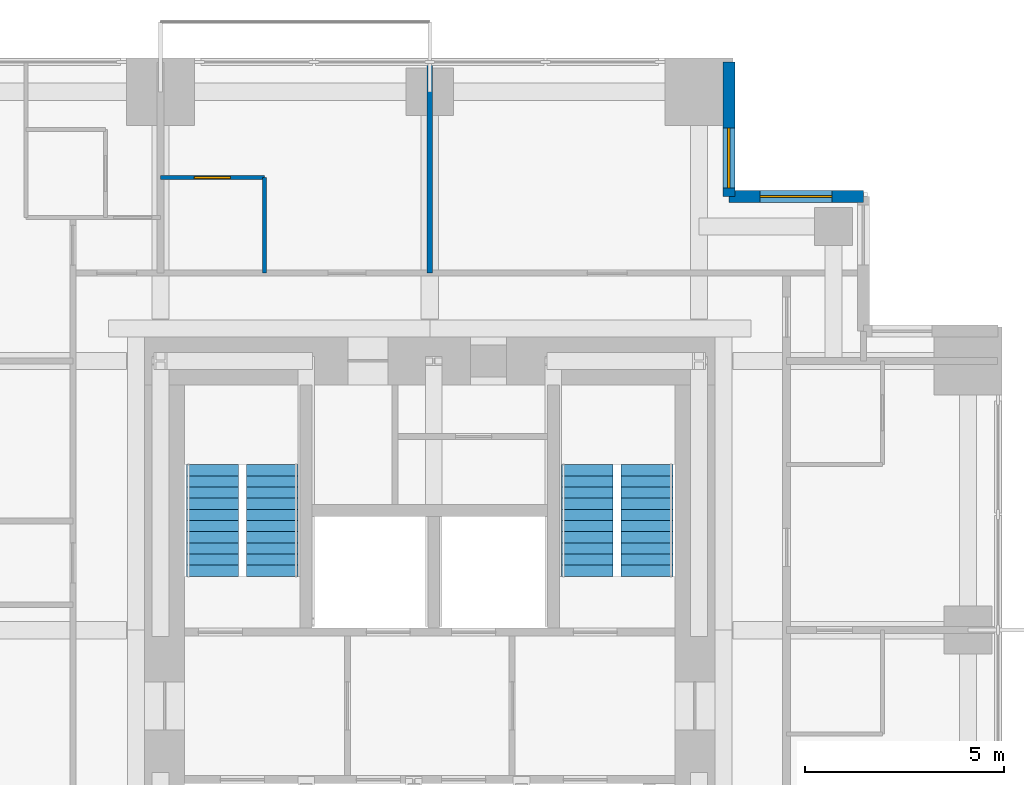
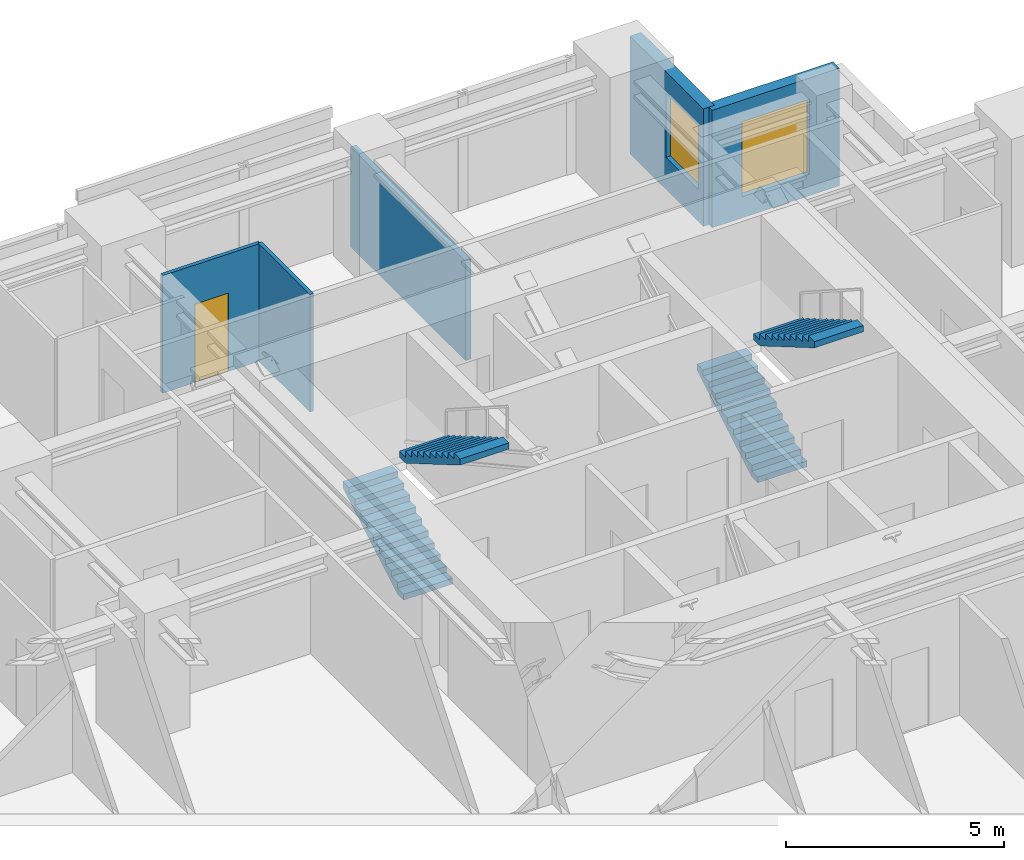
# One storey, part 9 of 10: 5 walls, 4 stair flights, 2 windows, 1 door, 3 openings, 2 elements without a shape of their own.
"""IFC4 building model written with IfcOpenShell, lengths in metres."""

from ifc_helpers import new_model, si_unit, direction, frame, frame_2d, origin, place, context, subcontext, project, spatial, polyline, rectangle, outline, extrude, material, layer, layer_set, type_object, element, fill, aggregate, save


model = new_model("IFC4")

# Units and contexts
model_context = context("Model", 3, precision=1e-05, world=origin(), true_north=direction((0.0, 1.0)))
body_context = subcontext(model_context, "Body", "Model", "MODEL_VIEW")
ifc_project = project(units=[si_unit("LENGTHUNIT", "METRE"), si_unit("AREAUNIT", "SQUARE_METRE"), si_unit("VOLUMEUNIT", "CUBIC_METRE"), si_unit("PLANEANGLEUNIT", "RADIAN"), si_unit("MASSUNIT", "GRAM", prefix="KILO")], contexts=[model_context])

# Site, building, storey
site_placement = place(None, origin())
site = spatial("IfcSite", under=ifc_project, at=site_placement, CompositionType="ELEMENT")
building_placement = place(site_placement, origin())
building = spatial("IfcBuilding", under=site, at=building_placement, Name="Nyansa Garden Tower", CompositionType="ELEMENT")
storey_placement = place(building_placement, frame((0.0, 0.0, 196.199951171875)))
storey = spatial("IfcBuildingStorey", under=building, at=storey_placement, Name="L53", CompositionType="ELEMENT", Elevation=196.199951171875)

# Wall
ifc_material_1 = material(Name="Blockwork, plastered both sides", Category="masonry")
ifc_layer_1 = layer(ifc_material_1, 0.14990234375)
ifc_layer_set_1 = layer_set([ifc_layer_1], Name="Partition PW150")
wall_type_1 = type_object("IfcWallType", Name="Partition PW150", PredefinedType="PARTITIONING", material=ifc_layer_set_1)
wall_1_placement = place(storey_placement, frame((20.25, 29.199951171875, 0.0), z_axis=(0.0, 0.0, 1.0), x_axis=(0.0, 1.0, 0.0)))
element("IfcWall", 1, at=wall_1_placement, inside=storey, type_object=wall_type_1, Name="Partition", PredefinedType="PARTITIONING", context=body_context, shape_type="SweptSolid", body=[
    extrude(rectangle(XDim=5.283935546875, YDim=0.14990234375, at=frame_2d((2.64208984375, 0.0))), origin(), (0.0, 0.0, 1.0), 2.802001953125),
])

# Wall, opening, window
ifc_material_2 = material(Name="Turquoise glazed tile on concrete blockwork", Category="masonry")
ifc_layer_2 = layer(ifc_material_2, 0.300048828125)
ifc_layer_set_2 = layer_set([ifc_layer_2], Name="Tiled corner wall TW300")
wall_type_2 = type_object("IfcWallType", Name="Tiled corner wall TW300", PredefinedType="SOLIDWALL", material=ifc_layer_set_2)
wall_2_placement = place(storey_placement, frame((31.125, 31.125, 0.0), z_axis=(0.0, 0.0, 1.0), x_axis=(-1.0, 0.0, 0.0)))
wall_2 = element("IfcWall", 2, at=wall_2_placement, inside=storey, type_object=wall_type_2, Name="Tiled corner wall L53", PredefinedType="SOLIDWALL", context=body_context, shape_type="SweptSolid", body=[
    extrude(rectangle(XDim=3.375, YDim=0.300048828125, at=frame_2d((1.6875, 0.0))), origin(), (0.0, 0.0, 1.0), 3.300048828125),
])
opening_1_placement = place(wall_2_placement, frame((0.78759765625, 0.0, 0.60009765625)))
opening_1 = element("IfcOpeningElement", 3, at=opening_1_placement, cuts=wall_2, Name="Opening W2", PredefinedType="OPENING", context=body_context, shape_type="SweptSolid", body=[
    extrude(rectangle(XDim=1.800048828125, YDim=2.10009765625, at=frame_2d((0.89990234375, 1.050048828125))), frame((0.0, 0.159912109375, 0.0), z_axis=(0.0, -1.0, 0.0), x_axis=(1.0, 0.0, 0.0)), (0.0, 0.0, 1.0), 0.320068359375),
])
ifc_material_3 = material(Name="Black aluminium frame, dark tinted double glazing", Category="aluminium")
window_type_1 = type_object("IfcWindowType", Name="Window W2 1800x2100", PartitioningType="SINGLE_PANEL", PredefinedType="WINDOW", material=ifc_material_3)
window_1_placement = place(opening_1_placement, origin())
window_1 = element("IfcWindow", 4, at=window_1_placement, inside=storey, type_object=window_type_1, Name="Corner window L53", OverallHeight=2.10009765625, OverallWidth=1.800048828125, PartitioningType="SINGLE_PANEL", PredefinedType="WINDOW", context=body_context, shape_type="SweptSolid", body=[
    extrude(rectangle(XDim=1.800048828125, YDim=2.10009765625, at=frame_2d((0.89990234375, 1.050048828125))), frame((0.0, 0.030029296875, 0.0), z_axis=(0.0, -1.0, 0.0), x_axis=(1.0, 0.0, 0.0)), (0.0, 0.0, 1.0), 0.06005859375),
])
fill(opening_1, window_1)

wall_3_placement = place(storey_placement, frame((27.75, 31.125, 0.0), z_axis=(0.0, 0.0, 1.0), x_axis=(0.0, 1.0, 0.0)))
wall_3 = element("IfcWall", 5, at=wall_3_placement, inside=storey, type_object=wall_type_2, Name="Tiled corner wall L53", PredefinedType="SOLIDWALL", context=body_context, shape_type="SweptSolid", body=[
    extrude(rectangle(XDim=3.375, YDim=0.300048828125, at=frame_2d((1.6875, 0.0))), origin(), (0.0, 0.0, 1.0), 3.300048828125),
])
opening_2_placement = place(wall_3_placement, frame((0.217529296875, 0.0, 0.89990234375)))
opening_2 = element("IfcOpeningElement", 6, at=opening_2_placement, cuts=wall_3, Name="Opening W1", PredefinedType="OPENING", context=body_context, shape_type="SweptSolid", body=[
    extrude(rectangle(XDim=1.5, YDim=1.800048828125, at=frame_2d((0.75, 0.89990234375))), frame((0.0, 0.159912109375, 0.0), z_axis=(0.0, -1.0, 0.0), x_axis=(1.0, 0.0, 0.0)), (0.0, 0.0, 1.0), 0.320068359375),
])
ifc_material_4 = material(Name="Black aluminium frame, dark tinted double glazing", Category="aluminium")
window_type_2 = type_object("IfcWindowType", Name="Window W1 1500x1800", PartitioningType="SINGLE_PANEL", PredefinedType="WINDOW", material=ifc_material_4)
window_2_placement = place(opening_2_placement, origin())
window_2 = element("IfcWindow", 7, at=window_2_placement, inside=storey, type_object=window_type_2, Name="Corner window L53", OverallHeight=1.800048828125, OverallWidth=1.5, PartitioningType="SINGLE_PANEL", PredefinedType="WINDOW", context=body_context, shape_type="SweptSolid", body=[
    extrude(rectangle(XDim=1.5, YDim=1.800048828125, at=frame_2d((0.75, 0.89990234375))), frame((0.0, 0.030029296875, 0.0), z_axis=(0.0, -1.0, 0.0), x_axis=(1.0, 0.0, 0.0)), (0.0, 0.0, 1.0), 0.06005859375),
])
fill(opening_2, window_2)

# Wall, opening, door
ifc_material_5 = material(Name="Moisture resistant board on steel studs, tiled", Category="steel")
ifc_layer_3 = layer(ifc_material_5, 0.10009765625)
ifc_layer_set_3 = layer_set([ifc_layer_3], Name="Wet wall PW100")
wall_type_3 = type_object("IfcWallType", Name="Wet wall PW100", PredefinedType="PARTITIONING", material=ifc_layer_set_3)
wall_4_placement = place(storey_placement, frame((13.5, 31.60009765625, 0.0), z_axis=(0.0, 0.0, 1.0), x_axis=(1.0, 0.0, 0.0)))
wall_4 = element("IfcWall", 8, at=wall_4_placement, inside=storey, type_object=wall_type_3, Name="Wet wall", PredefinedType="PARTITIONING", context=body_context, shape_type="SweptSolid", body=[
    extrude(rectangle(XDim=2.60009765625, YDim=0.10009765625, at=frame_2d((1.300048828125, 0.0))), origin(), (0.0, 0.0, 1.0), 3.300048828125),
])
opening_3_placement = place(wall_4_placement, frame((0.85009765625, 0.0, 0.0)))
opening_3 = element("IfcOpeningElement", 9, at=opening_3_placement, cuts=wall_4, Name="Opening D02", PredefinedType="OPENING", context=body_context, shape_type="SweptSolid", body=[
    extrude(rectangle(XDim=0.89990234375, YDim=2.199951171875, at=frame_2d((0.449951171875, 1.10009765625))), frame((0.0, 0.06005859375, 0.0), z_axis=(0.0, -1.0, 0.0), x_axis=(1.0, 0.0, 0.0)), (0.0, 0.0, 1.0), 0.1201171875),
])
ifc_material_6 = material(Name="Timber flush door", Category="wood")
door_type = type_object("IfcDoorType", Name="En-suite door D02 900x2200", OperationType="SINGLE_SWING_RIGHT", PredefinedType="DOOR", material=ifc_material_6)
door_placement = place(opening_3_placement, origin())
door = element("IfcDoor", 10, at=door_placement, inside=storey, type_object=door_type, Name="Door L53-041", OperationType="SINGLE_SWING_RIGHT", OverallHeight=2.199951171875, OverallWidth=0.89990234375, PredefinedType="DOOR", context=body_context, shape_type="SweptSolid", body=[
    extrude(rectangle(XDim=0.89990234375, YDim=2.199951171875, at=frame_2d((0.449951171875, 1.10009765625))), frame((0.0, 0.02490234375, 0.0), z_axis=(0.0, -1.0, 0.0), x_axis=(1.0, 0.0, 0.0)), (0.0, 0.0, 1.0), 0.050048828125),
])
fill(opening_3, door)

# Wall
wall_5_placement = place(storey_placement, frame((16.10009765625, 29.199951171875, 0.0), z_axis=(0.0, 0.0, 1.0), x_axis=(0.0, 1.0, 0.0)))
element("IfcWall", 11, at=wall_5_placement, inside=storey, type_object=wall_type_3, Name="Wet wall", PredefinedType="PARTITIONING", context=body_context, shape_type="SweptSolid", body=[
    extrude(rectangle(XDim=2.400146484375, YDim=0.10009765625, at=frame_2d((1.2001953125, 0.0))), origin(), (0.0, 0.0, 1.0), 3.300048828125),
])

# Stair, stair flights
ifc_material_7 = material(Name="Precast concrete C40/50", Category="concrete")
stair_type_1 = type_object("IfcStairType", Name="Stair S1 164x280", PredefinedType="HALF_TURN_STAIR", material=ifc_material_7)
stair_1_placement = place(storey_placement, origin())
stair_1 = element("IfcStair", 12, at=stair_1_placement, inside=storey, type_object=stair_type_1, Name="Stair S1 L53", PredefinedType="HALF_TURN_STAIR")
ifc_material_8 = material(Name="Precast concrete C40/50", Category="concrete")
stair_flight_type_1 = type_object("IfcStairFlightType", Name="Stair flight S1 164x280x11", PredefinedType="STRAIGHT", material=ifc_material_8)
stair_flight_1_placement = place(storey_placement, frame((14.800048828125, 21.60009765625, 0.0), z_axis=(0.0, 0.0, 1.0), x_axis=(0.0, 1.0, 0.0)))
stair_flight_1 = element("IfcStairFlight", 13, at=stair_flight_1_placement, type_object=stair_flight_type_1, Name="S1 flight 1", NumberOfRisers=11, NumberOfTreads=10, PredefinedType="STRAIGHT", RiserHeight=0.163636364, TreadLength=0.28, context=body_context, shape_type="SweptSolid", body=[
    extrude(outline(polyline([(0.0, 0.0), (0.0, 0.16357421875), (0.280029296875, 0.16357421875), (0.280029296875, 0.327392578125), (0.56005859375, 0.327392578125), (0.56005859375, 0.490966796875), (0.840087890625, 0.490966796875), (0.840087890625, 0.654541015625), (1.1201171875, 0.654541015625), (1.1201171875, 0.818115234375), (1.39990234375, 0.818115234375), (1.39990234375, 0.98193359375), (1.679931640625, 0.98193359375), (1.679931640625, 1.1455078125), (1.9599609375, 1.1455078125), (1.9599609375, 1.30908203125), (2.239990234375, 1.30908203125), (2.239990234375, 1.47265625), (2.52001953125, 1.47265625), (2.52001953125, 1.636474609375), (2.800048828125, 1.636474609375), (2.800048828125, 1.800048828125), (2.800048828125, 1.462646484375), (0.297119140625, 0.0), (0.0, 0.0)])), frame((0.0, 0.64990234375, 0.0), z_axis=(0.0, -1.0, 0.0), x_axis=(1.0, 0.0, 0.0)), (0.0, 0.0, 1.0), 1.300048828125),
])
stair_flight_2_placement = place(storey_placement, frame((16.300048828125, 24.39990234375, 1.800048828125), z_axis=(0.0, 0.0, 1.0), x_axis=(0.0, -1.0, 0.0)))
stair_flight_2 = element("IfcStairFlight", 14, at=stair_flight_2_placement, type_object=stair_flight_type_1, Name="S1 flight 2", NumberOfRisers=11, NumberOfTreads=10, PredefinedType="STRAIGHT", RiserHeight=0.163636364, TreadLength=0.28, context=body_context, shape_type="SweptSolid", body=[
    extrude(outline(polyline([(0.0, 0.0), (0.0, 0.16357421875), (0.280029296875, 0.16357421875), (0.280029296875, 0.327392578125), (0.56005859375, 0.327392578125), (0.56005859375, 0.490966796875), (0.840087890625, 0.490966796875), (0.840087890625, 0.654541015625), (1.1201171875, 0.654541015625), (1.1201171875, 0.818115234375), (1.39990234375, 0.818115234375), (1.39990234375, 0.98193359375), (1.679931640625, 0.98193359375), (1.679931640625, 1.1455078125), (1.9599609375, 1.1455078125), (1.9599609375, 1.30908203125), (2.239990234375, 1.30908203125), (2.239990234375, 1.47265625), (2.52001953125, 1.47265625), (2.52001953125, 1.636474609375), (2.800048828125, 1.636474609375), (2.800048828125, 1.800048828125), (2.800048828125, 1.462646484375), (0.297119140625, 0.0), (0.0, 0.0)])), frame((0.0, 0.64990234375, 0.0), z_axis=(0.0, -1.0, 0.0), x_axis=(1.0, 0.0, 0.0)), (0.0, 0.0, 1.0), 1.300048828125),
])
aggregate(stair_1, [stair_flight_1, stair_flight_2])

ifc_material_9 = material(Name="Precast concrete C40/50", Category="concrete")
stair_type_2 = type_object("IfcStairType", Name="Stair S2 164x280", PredefinedType="HALF_TURN_STAIR", material=ifc_material_9)
stair_2_placement = place(storey_placement, origin())
stair_2 = element("IfcStair", 15, at=stair_2_placement, inside=storey, type_object=stair_type_2, Name="Stair S2 L53", PredefinedType="HALF_TURN_STAIR")
ifc_material_10 = material(Name="Precast concrete C40/50", Category="concrete")
stair_flight_type_2 = type_object("IfcStairFlightType", Name="Stair flight S2 164x280x11", PredefinedType="STRAIGHT", material=ifc_material_10)
stair_flight_3_placement = place(storey_placement, frame((24.199951171875, 21.60009765625, 0.0), z_axis=(0.0, 0.0, 1.0), x_axis=(0.0, 1.0, 0.0)))
stair_flight_3 = element("IfcStairFlight", 16, at=stair_flight_3_placement, type_object=stair_flight_type_2, Name="S2 flight 1", NumberOfRisers=11, NumberOfTreads=10, PredefinedType="STRAIGHT", RiserHeight=0.163636364, TreadLength=0.28, context=body_context, shape_type="SweptSolid", body=[
    extrude(outline(polyline([(0.0, 0.0), (0.0, 0.16357421875), (0.280029296875, 0.16357421875), (0.280029296875, 0.327392578125), (0.56005859375, 0.327392578125), (0.56005859375, 0.490966796875), (0.840087890625, 0.490966796875), (0.840087890625, 0.654541015625), (1.1201171875, 0.654541015625), (1.1201171875, 0.818115234375), (1.39990234375, 0.818115234375), (1.39990234375, 0.98193359375), (1.679931640625, 0.98193359375), (1.679931640625, 1.1455078125), (1.9599609375, 1.1455078125), (1.9599609375, 1.30908203125), (2.239990234375, 1.30908203125), (2.239990234375, 1.47265625), (2.52001953125, 1.47265625), (2.52001953125, 1.636474609375), (2.800048828125, 1.636474609375), (2.800048828125, 1.800048828125), (2.800048828125, 1.462646484375), (0.297119140625, 0.0), (0.0, 0.0)])), frame((0.0, 0.64990234375, 0.0), z_axis=(0.0, -1.0, 0.0), x_axis=(1.0, 0.0, 0.0)), (0.0, 0.0, 1.0), 1.300048828125),
])
stair_flight_4_placement = place(storey_placement, frame((25.699951171875, 24.39990234375, 1.800048828125), z_axis=(0.0, 0.0, 1.0), x_axis=(0.0, -1.0, 0.0)))
stair_flight_4 = element("IfcStairFlight", 17, at=stair_flight_4_placement, type_object=stair_flight_type_2, Name="S2 flight 2", NumberOfRisers=11, NumberOfTreads=10, PredefinedType="STRAIGHT", RiserHeight=0.163636364, TreadLength=0.28, context=body_context, shape_type="SweptSolid", body=[
    extrude(outline(polyline([(0.0, 0.0), (0.0, 0.16357421875), (0.280029296875, 0.16357421875), (0.280029296875, 0.327392578125), (0.56005859375, 0.327392578125), (0.56005859375, 0.490966796875), (0.840087890625, 0.490966796875), (0.840087890625, 0.654541015625), (1.1201171875, 0.654541015625), (1.1201171875, 0.818115234375), (1.39990234375, 0.818115234375), (1.39990234375, 0.98193359375), (1.679931640625, 0.98193359375), (1.679931640625, 1.1455078125), (1.9599609375, 1.1455078125), (1.9599609375, 1.30908203125), (2.239990234375, 1.30908203125), (2.239990234375, 1.47265625), (2.52001953125, 1.47265625), (2.52001953125, 1.636474609375), (2.800048828125, 1.636474609375), (2.800048828125, 1.800048828125), (2.800048828125, 1.462646484375), (0.297119140625, 0.0), (0.0, 0.0)])), frame((0.0, 0.64990234375, 0.0), z_axis=(0.0, -1.0, 0.0), x_axis=(1.0, 0.0, 0.0)), (0.0, 0.0, 1.0), 1.300048828125),
])
aggregate(stair_2, [stair_flight_3, stair_flight_4])

save(model, "model.ifc")
